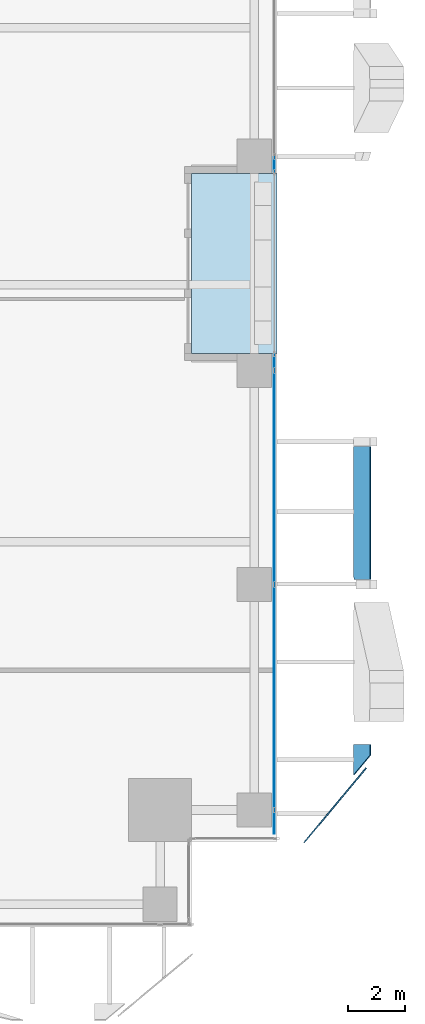
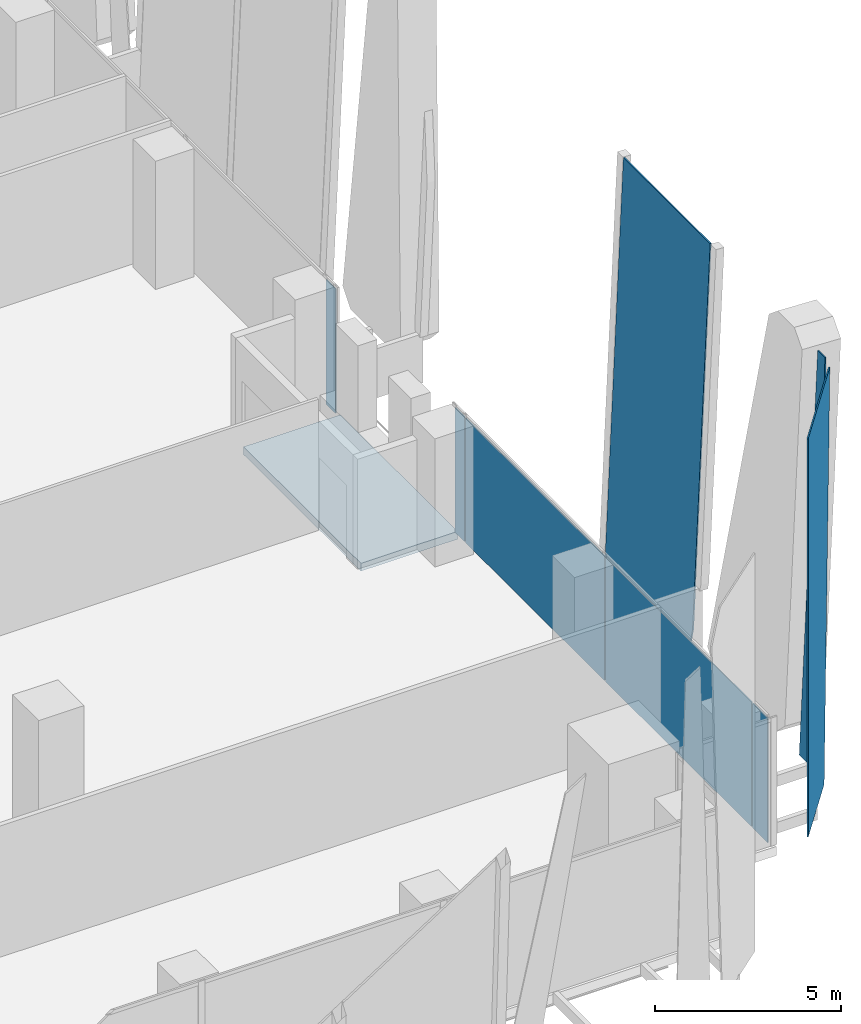
# One storey, part 23 of 34: 8 plates, 1 slab, 2 elements without a shape of their own.
"""IFC4 building model written with IfcOpenShell, lengths in metres."""

from ifc_helpers import new_model, si_unit, direction, frame, origin, origin_2d, place, context, subcontext, project, spatial, polyline, rectangle, outline, extrude, source, transform, mapped, material, layer, layer_set, type_object, element, aggregate, save


model = new_model("IFC4")

# Units and contexts
model_context = context("Model", 3, precision=1e-05, world=origin(), true_north=direction((0.0, 1.0)))
body_context = subcontext(model_context, "Body", "Model", "MODEL_VIEW")
ifc_project = project(units=[si_unit("LENGTHUNIT", "METRE"), si_unit("AREAUNIT", "SQUARE_METRE"), si_unit("VOLUMEUNIT", "CUBIC_METRE"), si_unit("PLANEANGLEUNIT", "RADIAN"), si_unit("MASSUNIT", "GRAM", prefix="KILO")], contexts=[model_context])

# Site, building, storey
site_placement = place(None, origin())
site = spatial("IfcSite", under=ifc_project, at=site_placement, CompositionType="ELEMENT")
building_placement = place(site_placement, origin())
building = spatial("IfcBuilding", under=site, at=building_placement, Name="Khomas Fold Tower", CompositionType="ELEMENT")
storey_placement = place(building_placement, frame((0.0, 0.0, 73.5)))
storey = spatial("IfcBuildingStorey", under=building, at=storey_placement, Name="L15", CompositionType="ELEMENT", Elevation=73.5)

# Plates
ifc_material_1 = material(Name="Clear laminated glass", Category="glass")
ifc_layer_1 = layer(ifc_material_1, 0.0400390625)
ifc_layer_set_1 = layer_set([ifc_layer_1], Name="Clear laminated glass")
plate_type_1 = type_object("IfcPlateType", Name="SK-Clear laminated glass leaf", PredefinedType="SHEET", material=ifc_layer_set_1)
plate_1_placement = place(storey_placement, frame((56.673828125, 6.39990234375, 0.0), z_axis=(-0.99904235518, 0.0, 0.043753543365), x_axis=(0.0, -1.0, 0.0)))
element("IfcPlate", 1, at=plate_1_placement, inside=storey, type_object=plate_type_1, Name="OUTER SKIN glass L15 EG098-1", PredefinedType="SHEET", context=body_context, shape_type="SweptSolid", body=[
    extrude(outline(polyline([(0.0, 0.0), (1.071044921875, 0.0), (0.38525390625, 13.062558119247587), (0.0, 13.062558119247587), (0.0, 0.0)])), origin(), (0.0, 0.0, -1.0), 0.0400390625),
])
plate_2_placement = place(storey_placement, frame((57.109130859375, 5.58837890625, 13.050048828125), z_axis=(-0.768204357112, 0.640204706101, 2.93534e-07), x_axis=(-0.04369314373, -0.052428497041, -0.997668362678)))
element("IfcPlate", 2, at=plate_2_placement, inside=storey, type_object=plate_type_1, Name="OUTER SKIN glass L15 EG098-2", PredefinedType="SHEET", context=body_context, shape_type="SweptSolid", body=[
    extrude(outline(polyline([(0.0, 0.0), (13.080547921850151, 0.0), (13.251853718153802, 2.5041830026849463), (0.23223287092761785, 3.39482738228062), (0.0, 0.0)])), origin(), (0.0, 0.0, -1.0), 0.0400390625),
])
plate_3_placement = place(storey_placement, frame((56.673828125, 12.286376953125, 0.0), z_axis=(-0.999042348947, 1.566364e-05, 0.04375368287), x_axis=(0.042935435761, -0.19214011779, 0.980427826763)))
element("IfcPlate", 3, at=plate_3_placement, inside=storey, type_object=plate_type_1, Name="OUTER SKIN glass L15 EG100-5", PredefinedType="SHEET", context=body_context, shape_type="SweptSolid", body=[
    extrude(outline(polyline([(0.0, 0.0), (0.606094561210494, 1.3877787807814457e-17), (12.841545731267573, 2.3955562267886092), (11.94614276047046, 6.968882126937592), (-0.8730272783688742, 4.459040670980339), (0.0, 0.0)])), origin(), (0.0, 0.0, -1.0), 0.0400390625),
])

# Curtain wall, plates
ifc_material_2 = material(Name="Aluminium framed double glazing", Category="aluminium")
curtain_wall_type = type_object("IfcCurtainWallType", Name="SK-Unitised clear-glass wall, growing floors CW1", PredefinedType="NOTDEFINED", material=ifc_material_2)
curtain_wall_1_placement = place(storey_placement, origin())
curtain_wall_1 = element("IfcCurtainWall", 4, at=curtain_wall_1_placement, inside=storey, type_object=curtain_wall_type, Name="CW1 run L15 03-0", PredefinedType="NOTDEFINED")
ifc_material_3 = material(Name="Clear double glazed unit")
ifc_layer_2 = layer(ifc_material_3, 0.031982421875)
ifc_layer_set_2 = layer_set([ifc_layer_2], Name="Clear double glazed unit")
plate_type_2 = type_object("IfcPlateType", Name="SK-Unitised clear-glass wall, growing floors glass panel CW1-P", PredefinedType="CURTAIN_PANEL", material=ifc_layer_set_2)
shared_shape_1 = source(origin(), body_context, "Body", "SweptSolid", [
    extrude(rectangle(XDim=0.81005859375, YDim=0.031982421875, at=origin_2d()), origin(), (0.0, 0.0, 1.0), 4.080078125),
])
plate_4_placement = place(storey_placement, frame((53.89990234375, 3.6650390625, 0.0), z_axis=(0.0, 0.0, 1.0), x_axis=(0.0, 1.0, 0.0)))
plate_4 = element("IfcPlate", 5, at=plate_4_placement, type_object=plate_type_2, Name="CW1 glass panel 1", PredefinedType="CURTAIN_PANEL", context=body_context, shape_type="MappedRepresentation", body=[
    mapped(shared_shape_1, transform((0.0, 0.0, 0.0))),
])
shared_shape_2 = source(origin(), body_context, "Body", "SweptSolid", [
    extrude(rectangle(XDim=7.840087890625, YDim=0.031982421875, at=origin_2d()), origin(), (0.0, 0.0, 1.0), 4.080078125),
])
plate_5_placement = place(storey_placement, frame((53.89990234375, 8.050048828125, 0.0), z_axis=(0.0, 0.0, 1.0), x_axis=(0.0, 1.0, 0.0)))
plate_5 = element("IfcPlate", 6, at=plate_5_placement, type_object=plate_type_2, Name="CW1 glass panel 2", PredefinedType="CURTAIN_PANEL", context=body_context, shape_type="MappedRepresentation", body=[
    mapped(shared_shape_2, transform((0.0, 0.0, 0.0))),
])
shared_shape_3 = source(origin(), body_context, "Body", "SweptSolid", [
    extrude(rectangle(XDim=7.43994140625, YDim=0.031982421875, at=origin_2d()), origin(), (0.0, 0.0, 1.0), 4.080078125),
])
plate_6_placement = place(storey_placement, frame((53.89990234375, 15.75, 0.0), z_axis=(0.0, 0.0, 1.0), x_axis=(0.0, 1.0, 0.0)))
plate_6 = element("IfcPlate", 7, at=plate_6_placement, type_object=plate_type_2, Name="CW1 glass panel 3", PredefinedType="CURTAIN_PANEL", context=body_context, shape_type="MappedRepresentation", body=[
    mapped(shared_shape_3, transform((0.0, 0.0, 0.0))),
])
shared_shape_4 = source(origin(), body_context, "Body", "SweptSolid", [
    extrude(rectangle(XDim=0.510009765625, YDim=0.031982421875, at=origin_2d()), origin(), (0.0, 0.0, 1.0), 4.080078125),
])
plate_7_placement = place(storey_placement, frame((53.89990234375, 19.784912109375, 0.0), z_axis=(0.0, 0.0, 1.0), x_axis=(0.0, 1.0, 0.0)))
plate_7 = element("IfcPlate", 8, at=plate_7_placement, type_object=plate_type_2, Name="CW1 glass panel 4", PredefinedType="CURTAIN_PANEL", context=body_context, shape_type="MappedRepresentation", body=[
    mapped(shared_shape_4, transform((0.0, 0.0, 0.0))),
])
aggregate(curtain_wall_1, [plate_4, plate_5, plate_6, plate_7])

# Curtain wall, plate
curtain_wall_2_placement = place(storey_placement, origin())
curtain_wall_2 = element("IfcCurtainWall", 9, at=curtain_wall_2_placement, inside=storey, type_object=curtain_wall_type, Name="CW1 run L15 03-1", PredefinedType="NOTDEFINED")
plate_8_placement = place(storey_placement, frame((53.89990234375, 26.715087890625, 0.0), z_axis=(0.0, 0.0, 1.0), x_axis=(0.0, 1.0, 0.0)))
plate_8 = element("IfcPlate", 10, at=plate_8_placement, type_object=plate_type_2, Name="CW1 glass panel 1", PredefinedType="CURTAIN_PANEL", context=body_context, shape_type="MappedRepresentation", body=[
    mapped(shared_shape_4, transform((0.0, 0.0, 0.0))),
])
aggregate(curtain_wall_2, [plate_8])

# Slab
ifc_material_4 = material(Name="Concrete C40/50", Category="concrete")
ifc_layer_3 = layer(ifc_material_4, 0.2548828125)
ifc_layer_set_3 = layer_set([ifc_layer_3], Name="Concrete C40/50")
slab_type = type_object("IfcSlabType", Name="BL-Balcony deck 255", PredefinedType="FLOOR", material=ifc_layer_set_3)
shared_shape_5 = source(origin(), body_context, "Body", "SweptSolid", [
    extrude(outline(polyline([(51.0, 20.10009765625), (54.0, 20.10009765625), (54.0, 26.39990234375), (51.0, 26.39990234375), (51.0, 20.10009765625)])), origin(), (0.0, 0.0, 1.0), 0.255126953125),
])
slab_placement = place(storey_placement, frame((0.0, 0.0, -0.300048828125)))
element("IfcSlab", 11, at=slab_placement, inside=storey, type_object=slab_type, Name="Balcony deck BAL-L15-E2", PredefinedType="FLOOR", context=body_context, shape_type="MappedRepresentation", body=[
    mapped(shared_shape_5, transform((0.0, 0.0, 0.0))),
])

save(model, "model.ifc")
